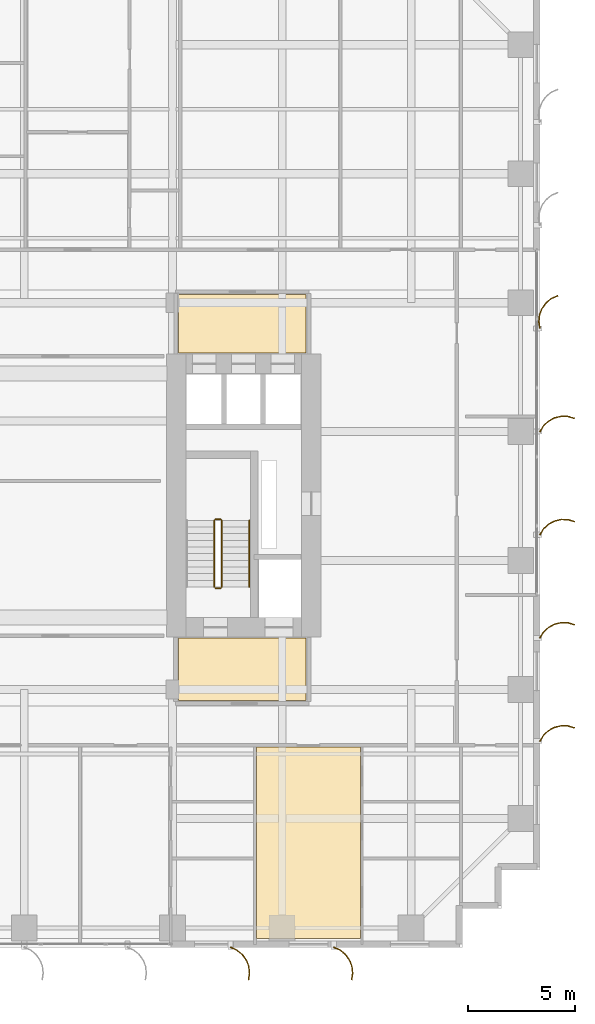
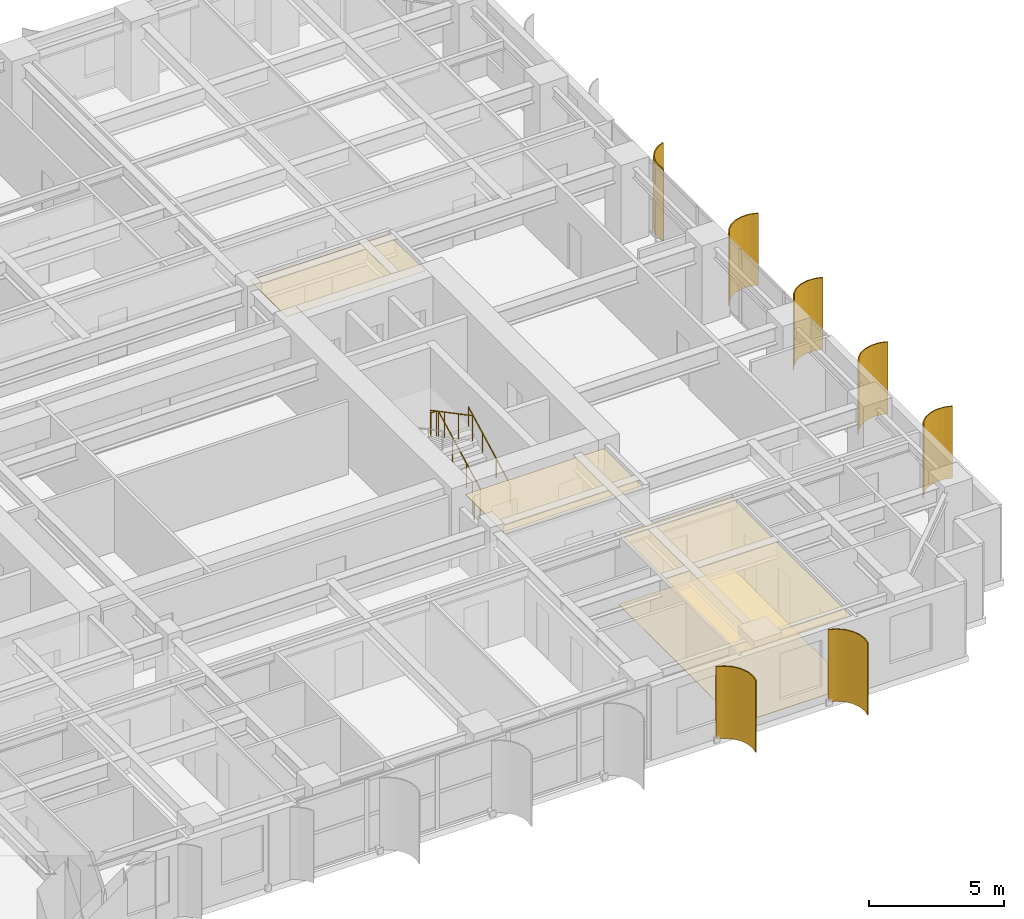
# One storey, part 22 of 23: 7 shading devices, 5 railings, 4 coverings.
"""IFC4 building model written with IfcOpenShell, lengths in metres."""

from ifc_helpers import new_model, si_unit, direction, frame, origin, origin_2d, place, context, subcontext, project, spatial, polyline, circle, outline, extrude, source, transform, mapped, material, layer, layer_set, type_object, element, save


model = new_model("IFC4")

# Units and contexts
model_context = context("Model", 3, precision=1e-05, world=origin(), true_north=direction((0.0, 1.0)))
body_context = subcontext(model_context, "Body", "Model", "MODEL_VIEW")
ifc_project = project(units=[si_unit("LENGTHUNIT", "METRE"), si_unit("AREAUNIT", "SQUARE_METRE"), si_unit("VOLUMEUNIT", "CUBIC_METRE"), si_unit("PLANEANGLEUNIT", "RADIAN"), si_unit("MASSUNIT", "GRAM", prefix="KILO")], contexts=[model_context])

# Site, building, storey
site_placement = place(None, origin())
site = spatial("IfcSite", under=ifc_project, at=site_placement, CompositionType="ELEMENT")
building_placement = place(site_placement, origin())
building = spatial("IfcBuilding", under=site, at=building_placement, Name="Khoralis Quay Care Tower", CompositionType="ELEMENT")
storey_placement = place(building_placement, frame((0.0, 0.0, 36.89990234375)))
storey = spatial("IfcBuildingStorey", under=building, at=storey_placement, Name="L09", CompositionType="ELEMENT", Elevation=36.89990234375)

# Coverings
ifc_material_1 = material(Name="Mineral-fibre acoustic ceiling tile")
ifc_layer_1 = layer(ifc_material_1, 0.01806640625)
ifc_layer_set_1 = layer_set([ifc_layer_1], Name="Mineral-fibre acoustic ceiling tile")
covering_type_1 = type_object("IfcCoveringType", Name="COV-CEIL-AC18", PredefinedType="CEILING", material=ifc_layer_set_1)
covering_1_placement = place(storey_placement, frame((0.0, 0.0, 3.172119140625)))
element("IfcCovering", 1, at=covering_1_placement, inside=storey, type_object=covering_type_1, Name="Suspended Acoustic Ceiling SP-L09-FFLOB-E", PredefinedType="CEILING", context=body_context, shape_type="SweptSolid", body=[
    extrude(outline(polyline([(31.179931640625, 11.47998046875), (37.1201171875, 11.47998046875), (37.1201171875, 14.39990234375), (31.179931640625, 14.39990234375), (31.179931640625, 11.47998046875)])), origin(), (0.0, 0.0, 1.0), 0.01806640625),
])
covering_2_placement = place(storey_placement, frame((0.0, 0.0, 3.172119140625)))
element("IfcCovering", 2, at=covering_2_placement, inside=storey, type_object=covering_type_1, Name="Suspended Acoustic Ceiling SP-L09-LLOB-E", PredefinedType="CEILING", context=body_context, shape_type="SweptSolid", body=[
    extrude(outline(polyline([(31.179931640625, 27.64990234375), (37.1201171875, 27.64990234375), (37.1201171875, 30.389892578125), (31.179931640625, 30.389892578125), (31.179931640625, 27.64990234375)])), origin(), (0.0, 0.0, 1.0), 0.01806640625),
])
covering_3_placement = place(storey_placement, frame((0.0, 0.0, 3.172119140625)))
element("IfcCovering", 3, at=covering_3_placement, inside=storey, type_object=covering_type_1, Name="Suspended Acoustic Ceiling SP-L09-SB-LIV4", PredefinedType="CEILING", context=body_context, shape_type="SweptSolid", body=[
    extrude(outline(polyline([(34.81005859375, 0.419921875), (39.636962890625, 0.419921875), (39.636962890625, 9.320068359375), (34.81005859375, 9.320068359375), (34.81005859375, 0.419921875)])), origin(), (0.0, 0.0, 1.0), 0.01806640625),
])
ifc_material_2 = material(Name="Porcelain and non-slip vinyl flooring")
ifc_layer_2 = layer(ifc_material_2, 0.02001953125)
ifc_layer_set_2 = layer_set([ifc_layer_2], Name="Porcelain and non-slip vinyl flooring")
covering_type_2 = type_object("IfcCoveringType", Name="COV-FLOOR-20", PredefinedType="FLOORING", material=ifc_layer_set_2)
covering_4_placement = place(storey_placement, origin())
element("IfcCovering", 4, at=covering_4_placement, inside=storey, type_object=covering_type_2, Name="Resilient Healthcare Flooring SP-L09-SB-LIV4", PredefinedType="FLOORING", context=body_context, shape_type="SweptSolid", body=[
    extrude(outline(polyline([(34.81005859375, 0.419921875), (39.636962890625, 0.419921875), (39.636962890625, 9.320068359375), (34.81005859375, 9.320068359375), (34.81005859375, 0.419921875)])), origin(), (0.0, 0.0, 1.0), 0.02001953125),
])

# Railings
ifc_material_3 = material(Name="Brushed stainless steel", Category="steel")
railing_type_1 = type_object("IfcRailingType", Name="RL-GUARD-1150", PredefinedType="GUARDRAIL", material=ifc_material_3)
railing_1_placement = place(storey_placement, frame((33.18994140625, 16.77001953125, 0.163818359375)))
element("IfcRailing", 5, at=railing_1_placement, inside=storey, type_object=railing_type_1, Name="L09 ST-T2 stair guard 1", PredefinedType="GUARDRAIL", context=body_context, shape_type="SweptSolid", body=[
    extrude(circle(Radius=0.02392578125, at=origin_2d()), frame((0.0, 0.0, 1.1259765625), z_axis=(0.0, 0.884376766648, 0.46677375099), x_axis=(-1.0, 0.0, 0.0)), (0.0, 0.0, 1.0), 3.50537109375),
    extrude(circle(Radius=0.02099609375, at=origin_2d()), origin(), (0.0, 0.0, 1.0), 1.101806640625),
    extrude(circle(Radius=0.02099609375, at=origin_2d()), frame((0.0, 1.033447265625, 0.54541015625)), (0.0, 0.0, 1.0), 1.101806640625),
    extrude(circle(Radius=0.02099609375, at=origin_2d()), frame((0.0, 2.066650390625, 1.0908203125)), (0.0, 0.0, 1.0), 1.101806640625),
    extrude(circle(Radius=0.02099609375, at=origin_2d()), frame((0.0, 3.10009765625, 1.63623046875)), (0.0, 0.0, 1.0), 1.101806640625),
])
railing_2_placement = place(storey_placement, frame((33.139892578125, 19.919921875, 1.800048828125)))
element("IfcRailing", 6, at=railing_2_placement, inside=storey, type_object=railing_type_1, Name="L09 ST-T2 stair guard 2", PredefinedType="GUARDRAIL", context=body_context, shape_type="SweptSolid", body=[
    extrude(circle(Radius=0.02392578125, at=origin_2d()), frame((0.0, 0.0, 1.1259765625), z_axis=(-1.0, 0.0, 0.0), x_axis=(0.0, -1.0, 0.0)), (0.0, 0.0, 1.0), 0.239990234375),
    extrude(circle(Radius=0.02099609375, at=origin_2d()), origin(), (0.0, 0.0, 1.0), 1.101806640625),
    extrude(circle(Radius=0.02099609375, at=origin_2d()), frame((-0.239990234375, 0.0, 0.0)), (0.0, 0.0, 1.0), 1.101806640625),
])
railing_3_placement = place(storey_placement, frame((32.85009765625, 19.8701171875, 1.963623046875)))
element("IfcRailing", 7, at=railing_3_placement, inside=storey, type_object=railing_type_1, Name="L09 ST-T2 stair guard 3", PredefinedType="GUARDRAIL", context=body_context, shape_type="SweptSolid", body=[
    extrude(circle(Radius=0.02392578125, at=origin_2d()), frame((0.0, 0.0, 1.1259765625), z_axis=(0.0, -0.884348015382, 0.466828220752), x_axis=(1.0, 0.0, 0.0)), (0.0, 0.0, 1.0), 3.505615234375),
    extrude(circle(Radius=0.02099609375, at=origin_2d()), origin(), (0.0, 0.0, 1.0), 1.101806640625),
    extrude(circle(Radius=0.02099609375, at=origin_2d()), frame((0.0, -1.033447265625, 0.54541015625)), (0.0, 0.0, 1.0), 1.101806640625),
    extrude(circle(Radius=0.02099609375, at=origin_2d()), frame((0.0, -2.066650390625, 1.091064453125)), (0.0, 0.0, 1.0), 1.101806640625),
    extrude(circle(Radius=0.02099609375, at=origin_2d()), frame((0.0, -3.10009765625, 1.636474609375)), (0.0, 0.0, 1.0), 1.101806640625),
])
railing_4_placement = place(storey_placement, frame((33.139892578125, 16.719970703125, 0.0)))
element("IfcRailing", 8, at=railing_4_placement, inside=storey, type_object=railing_type_1, Name="L09 ST-T2 stair guard 4", PredefinedType="GUARDRAIL", context=body_context, shape_type="SweptSolid", body=[
    extrude(circle(Radius=0.02392578125, at=origin_2d()), frame((0.0, 0.0, 1.1259765625), z_axis=(-1.0, 0.0, 0.0), x_axis=(0.0, -1.0, 0.0)), (0.0, 0.0, 1.0), 0.239990234375),
    extrude(circle(Radius=0.02099609375, at=origin_2d()), origin(), (0.0, 0.0, 1.0), 1.101806640625),
    extrude(circle(Radius=0.02099609375, at=origin_2d()), frame((-0.239990234375, 0.0, 0.0)), (0.0, 0.0, 1.0), 1.101806640625),
])
railing_type_2 = type_object("IfcRailingType", Name="RL-HAND-900", PredefinedType="HANDRAIL", material=ifc_material_3)
railing_5_placement = place(storey_placement, frame((34.469970703125, 16.77001953125, 0.163818359375)))
element("IfcRailing", 9, at=railing_5_placement, inside=storey, type_object=railing_type_2, Name="L09 ST-T2 stair handrail 1", PredefinedType="HANDRAIL", context=body_context, shape_type="SweptSolid", body=[
    extrude(circle(Radius=0.02392578125, at=origin_2d()), frame((0.0, 0.0, 0.8759765625), z_axis=(0.0, 0.884376766648, 0.46677375099), x_axis=(-1.0, 0.0, 0.0)), (0.0, 0.0, 1.0), 3.50537109375),
    extrude(circle(Radius=0.02099609375, at=origin_2d()), origin(), (0.0, 0.0, 1.0), 0.851806640625),
    extrude(circle(Radius=0.02099609375, at=origin_2d()), frame((0.0, 1.033447265625, 0.54541015625)), (0.0, 0.0, 1.0), 0.851806640625),
    extrude(circle(Radius=0.02099609375, at=origin_2d()), frame((0.0, 2.066650390625, 1.0908203125)), (0.0, 0.0, 1.0), 0.851806640625),
    extrude(circle(Radius=0.02099609375, at=origin_2d()), frame((0.0, 3.10009765625, 1.63623046875)), (0.0, 0.0, 1.0), 0.851806640625),
])

# Shading devices
ifc_material_4 = material(Name="Brushed pale anodised aluminium", Category="aluminium")
ifc_layer_3 = layer(ifc_material_4, 0.044921875)
ifc_layer_set_3 = layer_set([ifc_layer_3], Name="Brushed pale anodised aluminium")
shading_device_type = type_object("IfcShadingDeviceType", Name="SHD-FIN-1250", PredefinedType="USERDEFINED", material=ifc_layer_set_3)
shared_shape_1 = source(origin(), body_context, "Body", "SweptSolid", [
    extrude(outline(polyline([(0.0, 0.0), (0.130126953125, 0.29931640625), (0.333251953125, 0.5546875), (0.595458984375, 0.748779296875), (0.899169921875, 0.868408203125), (1.223388671875, 0.9052734375), (1.546142578125, 0.85693359375), (1.53369140625, 0.813720703125), (1.22265625, 0.8603515625), (0.91015625, 0.82470703125), (0.617431640625, 0.70947265625), (0.364501953125, 0.522216796875), (0.168701171875, 0.276123046875), (0.043212890625, -0.012451171875), (0.0, 0.0)])), origin(), (0.0, 0.0, 1.0), 3.260009765625),
])
for number, where, z_axis, x_axis, name in (
    (10, (33.60009765625, 0.030029296875, 0.02001953125), (0.0, 0.0, 1.0), (0.0, -1.0, 0.0), "L09 Curved Solar Fin P1E0-06"),
    (11, (38.39990234375, 0.030029296875, 0.02001953125), (0.0, 0.0, 1.0), (0.0, -1.0, 0.0), "L09 Curved Solar Fin P1E0-07"),
):
    element("IfcShadingDevice", number, at=place(storey_placement, frame(where, z_axis=z_axis, x_axis=x_axis)), inside=storey, type_object=shading_device_type, Name=name, ObjectType="FIN", PredefinedType="USERDEFINED", context=body_context, shape_type="MappedRepresentation", body=[
        mapped(shared_shape_1, transform((0.0, 0.0, 0.0), scale=1.0)),
    ])
shared_shape_2 = source(origin(), body_context, "Body", "SweptSolid", [
    extrude(outline(polyline([(0.0, 0.0), (0.17041015625, 0.2783203125), (0.4072265625, 0.5029296875), (0.694091796875, 0.658447265625), (1.01123046875, 0.734619140625), (1.33740234375, 0.72607421875), (1.650390625, 0.633544921875), (1.632080078125, 0.59228515625), (1.330322265625, 0.681640625), (1.015869140625, 0.68994140625), (0.710205078125, 0.616455078125), (0.43359375, 0.466552734375), (0.20556640625, 0.25), (0.041015625, -0.018310546875), (0.0, 0.0)])), origin(), (0.0, 0.0, 1.0), 3.260009765625),
])
for number, where, z_axis, x_axis, name in (
    (12, (47.969970703125, 9.60009765625, 0.02001953125), (0.0, 0.0, 1.0), (1.0, 0.0, 0.0), "L09 Curved Solar Fin P1E5-01"),
    (13, (47.969970703125, 14.39990234375, 0.02001953125), (0.0, 0.0, 1.0), (1.0, 0.0, 0.0), "L09 Curved Solar Fin P1E5-02"),
    (14, (47.969970703125, 19.199951171875, 0.02001953125), (0.0, 0.0, 1.0), (1.0, 0.0, 0.0), "L09 Curved Solar Fin P1E5-03"),
    (15, (47.969970703125, 24.0, 0.02001953125), (0.0, 0.0, 1.0), (1.0, 0.0, 0.0), "L09 Curved Solar Fin P1E5-04"),
):
    element("IfcShadingDevice", number, at=place(storey_placement, frame(where, z_axis=z_axis, x_axis=x_axis)), inside=storey, type_object=shading_device_type, Name=name, ObjectType="FIN", PredefinedType="USERDEFINED", context=body_context, shape_type="MappedRepresentation", body=[
        mapped(shared_shape_2, transform((0.0, 0.0, 0.0), scale=1.0)),
    ])
shared_shape_3 = source(origin(), body_context, "Body", "SweptSolid", [
    extrude(outline(polyline([(0.0, 0.0), (-0.04833984375, 0.32275390625), (-0.01123046875, 0.64697265625), (0.1083984375, 0.950439453125), (0.302490234375, 1.212890625), (0.557861328125, 1.416015625), (0.85693359375, 1.546142578125), (0.869384765625, 1.5029296875), (0.5810546875, 1.37744140625), (0.334716796875, 1.181640625), (0.147705078125, 0.9287109375), (0.032470703125, 0.635986328125), (-0.003173828125, 0.323486328125), (0.043212890625, 0.012451171875), (0.0, 0.0)])), origin(), (0.0, 0.0, 1.0), 3.260009765625),
])
shading_device_placement = place(storey_placement, frame((47.969970703125, 28.800048828125, 0.02001953125), z_axis=(0.0, 0.0, 1.0), x_axis=(1.0, 0.0, 0.0)))
element("IfcShadingDevice", 16, at=shading_device_placement, inside=storey, type_object=shading_device_type, Name="L09 Curved Solar Fin P1E5-05", ObjectType="FIN", PredefinedType="USERDEFINED", context=body_context, shape_type="MappedRepresentation", body=[
    mapped(shared_shape_3, transform((0.0, 0.0, 0.0), scale=1.0)),
])

save(model, "model.ifc")
